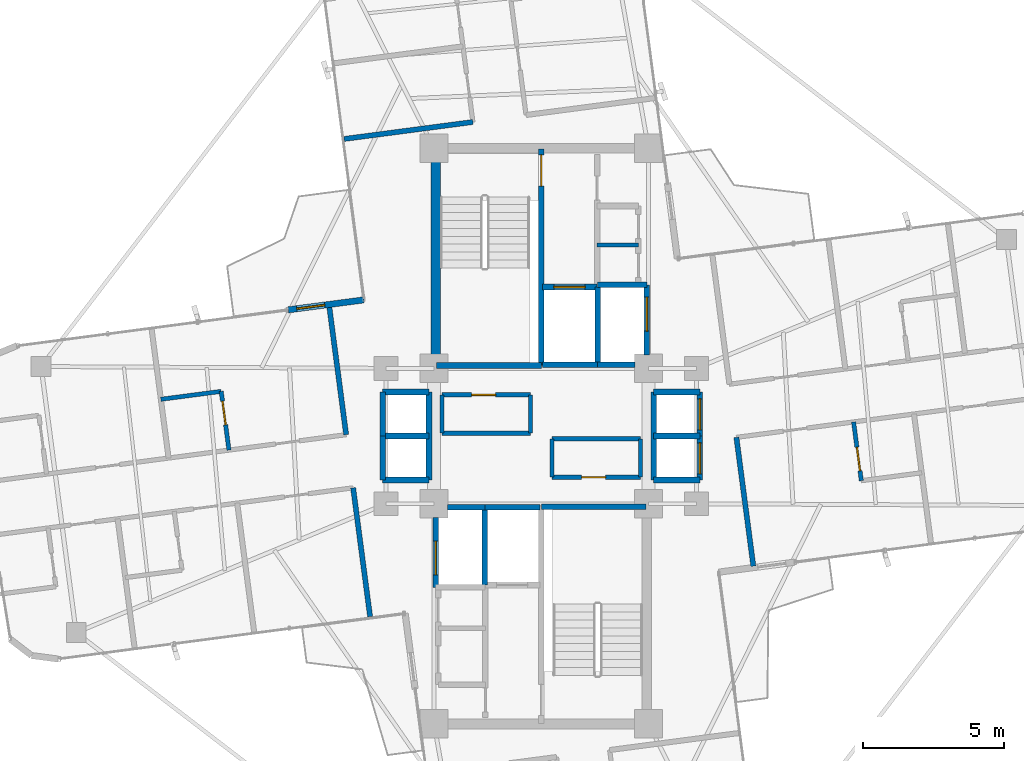
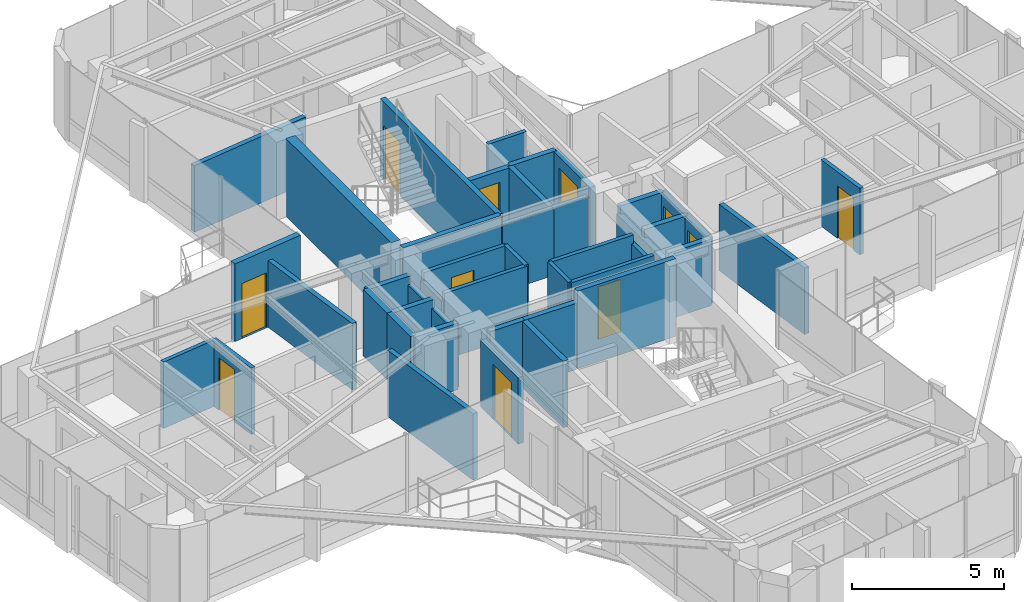
# One storey, part 20 of 23: 43 walls, 11 doors, 11 openings.
"""IFC4 building model written with IfcOpenShell, lengths in metres."""

from ifc_helpers import new_model, si_unit, direction, frame, frame_2d, origin, origin_2d, place, context, subcontext, project, spatial, rectangle, extrude, source, transform, mapped, material, layer, layer_set, type_object, element, fill, save


model = new_model("IFC4")

# Units and contexts
model_context = context("Model", 3, precision=1e-05, world=origin(), true_north=direction((0.0, 1.0)))
body_context = subcontext(model_context, "Body", "Model", "MODEL_VIEW")
ifc_project = project(units=[si_unit("LENGTHUNIT", "METRE"), si_unit("AREAUNIT", "SQUARE_METRE"), si_unit("VOLUMEUNIT", "CUBIC_METRE"), si_unit("PLANEANGLEUNIT", "RADIAN"), si_unit("MASSUNIT", "GRAM", prefix="KILO")], contexts=[model_context])

# Site, building, storey
site_placement = place(None, origin())
site = spatial("IfcSite", under=ifc_project, at=site_placement, CompositionType="ELEMENT")
building_placement = place(site_placement, origin())
building = spatial("IfcBuilding", under=site, at=building_placement, Name="Sahyath Konkavel Grand Hotel", CompositionType="ELEMENT")
storey_placement = place(building_placement, frame((0.0, 0.0, 254.550048828125)))
storey = spatial("IfcBuildingStorey", under=building, at=storey_placement, Name="L71", CompositionType="ELEMENT", Elevation=254.550048828125)

# Wall
ifc_material_1 = material(Name="Concrete C40/50", Category="concrete")
ifc_layer_1 = layer(ifc_material_1, 0.35009765625)
ifc_layer_set_1 = layer_set([ifc_layer_1], Name="Concrete C40/50")
wall_type_1 = type_object("IfcWallType", Name="CWALL-350", PredefinedType="SHEAR", material=ifc_layer_set_1)
wall_1_placement = place(storey_placement, frame((-3.739990234375, 2.85009765625, 0.0), z_axis=(0.0, 0.0, 1.0), x_axis=(0.0, 1.0, 0.0)))
element("IfcWall", 1, at=wall_1_placement, inside=storey, type_object=wall_type_1, Name="L71 North Core Shear Wall W", PredefinedType="SHEAR", context=body_context, shape_type="SweptSolid", body=[
    extrude(rectangle(XDim=6.89990234375, YDim=0.35009765625, at=frame_2d((3.449951171875, 0.0))), origin(), (0.0, 0.0, 1.0), 3.10986328125),
])

# Wall, opening, door
ifc_material_2 = material(Name="Warm Buff Sandstone Insulated Concrete C40/50", Category="masonry")
ifc_layer_2 = layer(ifc_material_2, 0.219970703125)
ifc_layer_set_2 = layer_set([ifc_layer_2], Name="Warm Buff Sandstone Insulated Concrete C40/50")
wall_type_2 = type_object("IfcWallType", Name="WLL-BALC-THRESH", PredefinedType="STANDARD", material=ifc_layer_set_2)
wall_2_placement = place(storey_placement, frame((-6.28759765625, 4.82470703125, 0.0), z_axis=(0.0, 0.0, 1.0), x_axis=(-0.991438283356, -0.130576147498, 0.0)))
wall_2 = element("IfcWall", 2, at=wall_2_placement, inside=storey, type_object=wall_type_2, Name="L71 Winter-Garden Threshold Wall 16", PredefinedType="STANDARD", context=body_context, shape_type="SweptSolid", body=[
    extrude(rectangle(XDim=2.699951171875, YDim=0.219970703125, at=frame_2d((1.35009765625, 0.0))), origin(), (0.0, 0.0, 1.0), 3.10986328125),
])
opening_1_placement = place(wall_2_placement, frame((1.39990234375, 0.0, 0.0)))
opening_1 = element("IfcOpeningElement", 3, at=opening_1_placement, cuts=wall_2, Name="Opening D-TR1", PredefinedType="OPENING", context=body_context, shape_type="SweptSolid", body=[
    extrude(rectangle(XDim=1.0, YDim=2.199951171875, at=frame_2d((0.5, 1.10009765625))), frame((0.0, 0.1201171875, 0.0), z_axis=(0.0, -1.0, 0.0), x_axis=(1.0, 0.0, 0.0)), (0.0, 0.0, 1.0), 0.239990234375),
])
ifc_material_3 = material(Name="Anodised Bronze Aluminium & Low-E Glazing", Category="aluminium")
door_type_1 = type_object("IfcDoorType", Name="DR-TERRACE-1000", OperationType="NOTDEFINED", PredefinedType="DOOR", material=ifc_material_3)
shared_shape_1 = source(origin(), body_context, "Body", "SweptSolid", [
    extrude(rectangle(XDim=1.0, YDim=0.050048828125, at=origin_2d()), origin(), (0.0, 0.0, 1.0), 2.199951171875),
])
door_1_placement = place(opening_1_placement, frame((0.5, 0.0, 0.0)))
door_1 = element("IfcDoor", 4, at=door_1_placement, inside=storey, type_object=door_type_1, Name="L71 Winter-Garden Terrace Door 16", OperationType="SINGLE_SWING_LEFT", OverallHeight=2.199951171875, OverallWidth=1.0, PredefinedType="DOOR", context=body_context, shape_type="MappedRepresentation", body=[
    mapped(shared_shape_1, transform((0.0, 0.0, 0.0), scale=1.0)),
])
fill(opening_1, door_1)

ifc_layer_3 = layer(ifc_material_1, 0.199951171875)
ifc_layer_set_3 = layer_set([ifc_layer_3], Name="Concrete C40/50")
wall_type_3 = type_object("IfcWallType", Name="WLL-CORE-200", PredefinedType="SOLIDWALL", material=ifc_layer_set_3)
wall_3_placement = place(storey_placement, frame((0.0, 2.5, 0.0), z_axis=(0.0, 0.0, 1.0), x_axis=(0.0, 1.0, 0.0)))
wall_3 = element("IfcWall", 5, at=wall_3_placement, inside=storey, type_object=wall_type_3, Name="L71 Stair ST-1 Shaft Wall E", PredefinedType="SOLIDWALL", context=body_context, shape_type="SweptSolid", body=[
    extrude(rectangle(XDim=7.679931640625, YDim=0.199951171875, at=frame_2d((3.83984375, 0.0))), origin(), (0.0, 0.0, 1.0), 3.10986328125),
])
opening_2_placement = place(wall_3_placement, frame((6.360107421875, 0.0, 0.0)))
opening_2 = element("IfcOpeningElement", 6, at=opening_2_placement, cuts=wall_3, Name="Opening D-F12B", PredefinedType="OPENING", context=body_context, shape_type="SweptSolid", body=[
    extrude(rectangle(XDim=1.10009765625, YDim=2.14990234375, at=frame_2d((0.550048828125, 1.074951171875))), frame((0.0, 0.10986328125, 0.0), z_axis=(0.0, -1.0, 0.0), x_axis=(1.0, 0.0, 0.0)), (0.0, 0.0, 1.0), 0.219970703125),
])
ifc_material_4 = material(Name="Steel E350 Smokeproof Fire Door", Category="steel")
door_type_2 = type_object("IfcDoorType", Name="DR-FD120-1100", OperationType="NOTDEFINED", PredefinedType="DOOR", material=ifc_material_4)
shared_shape_2 = source(origin(), body_context, "Body", "SweptSolid", [
    extrude(rectangle(XDim=1.10009765625, YDim=0.050048828125, at=origin_2d()), origin(), (0.0, 0.0, 1.0), 2.14990234375),
])
door_2_placement = place(opening_2_placement, frame((0.550048828125, 0.0, 0.0)))
door_2 = element("IfcDoor", 7, at=door_2_placement, inside=storey, type_object=door_type_2, Name="L71 Stair ST-1 Fire Door", OperationType="SINGLE_SWING_LEFT", OverallHeight=2.14990234375, OverallWidth=1.10009765625, PredefinedType="DOOR", context=body_context, shape_type="MappedRepresentation", body=[
    mapped(shared_shape_2, transform((0.0, 0.0, 0.0), scale=1.0)),
])
fill(opening_2, door_2)

# Walls
for number, where, z_axis, x_axis, name in (
    (8, (-3.719970703125, 2.5, 0.0), (0.0, 0.0, 1.0), (1.0, 0.0, 0.0), "L71 Stair ST-1 Shaft Wall S"),
    (9, (0.0, -2.5, 0.0), (0.0, 0.0, 1.0), (1.0, 0.0, 0.0), "L71 Stair ST-2 Shaft Wall N"),
):
    element("IfcWall", number, at=place(storey_placement, frame(where, z_axis=z_axis, x_axis=x_axis)), inside=storey, type_object=wall_type_3, Name=name, PredefinedType="SOLIDWALL", context=body_context, shape_type="SweptSolid", body=[
        extrude(rectangle(XDim=3.719970703125, YDim=0.199951171875, at=frame_2d((1.85986328125, 0.0))), origin(), (0.0, 0.0, 1.0), 3.10986328125),
    ])
wall_4_placement = place(storey_placement, frame((2.0, 2.5, 0.0), z_axis=(0.0, 0.0, 1.0), x_axis=(0.0, 1.0, 0.0)))
element("IfcWall", 10, at=wall_4_placement, inside=storey, type_object=wall_type_3, Name="L71 Partition SH-FFL1-E", PredefinedType="SOLIDWALL", context=body_context, shape_type="SweptSolid", body=[
    extrude(rectangle(XDim=2.780029296875, YDim=0.199951171875, at=frame_2d((1.39013671875, 0.0))), origin(), (0.0, 0.0, 1.0), 2.659912109375),
])
wall_5_placement = place(storey_placement, frame((0.050048828125, 2.52001953125, 0.0), z_axis=(0.0, 0.0, 1.0), x_axis=(1.0, 0.0, 0.0)))
element("IfcWall", 11, at=wall_5_placement, inside=storey, type_object=wall_type_3, Name="L71 Partition SH-FFL1-S", PredefinedType="SOLIDWALL", context=body_context, shape_type="SweptSolid", body=[
    extrude(rectangle(XDim=1.949951171875, YDim=0.199951171875, at=frame_2d((0.97509765625, 0.0))), origin(), (0.0, 0.0, 1.0), 2.659912109375),
])

# Wall, opening, door
wall_6_placement = place(storey_placement, frame((0.050048828125, 5.280029296875, 0.0), z_axis=(0.0, 0.0, 1.0), x_axis=(1.0, 0.0, 0.0)))
wall_6 = element("IfcWall", 12, at=wall_6_placement, inside=storey, type_object=wall_type_3, Name="L71 Partition SH-FFL1-N", PredefinedType="SOLIDWALL", context=body_context, shape_type="SweptSolid", body=[
    extrude(rectangle(XDim=1.929931640625, YDim=0.199951171875, at=frame_2d((0.96484375, 0.0))), origin(), (0.0, 0.0, 1.0), 2.659912109375),
])
opening_3_placement = place(wall_6_placement, frame((0.39990234375, 0.0, 0.0)))
opening_3 = element("IfcOpeningElement", 13, at=opening_3_placement, cuts=wall_6, Name="Opening LD-11", PredefinedType="OPENING", context=body_context, shape_type="SweptSolid", body=[
    extrude(rectangle(XDim=1.10009765625, YDim=2.199951171875, at=frame_2d((0.550048828125, 1.10009765625))), frame((0.0, 0.10986328125, 0.0), z_axis=(0.0, -1.0, 0.0), x_axis=(1.0, 0.0, 0.0)), (0.0, 0.0, 1.0), 0.219970703125),
])
ifc_material_5 = material(Name="Bronze Lift Landing Door 1100")
door_type_3 = type_object("IfcDoorType", Name="DR-LIFT-1100", OperationType="DOUBLE_DOOR_SLIDING", PredefinedType="DOOR", material=ifc_material_5)
shared_shape_3 = source(origin(), body_context, "Body", "SweptSolid", [
    extrude(rectangle(XDim=1.10009765625, YDim=0.050048828125, at=origin_2d()), origin(), (0.0, 0.0, 1.0), 2.199951171875),
])
door_3_placement = place(opening_3_placement, frame((0.550048828125, 0.0, 0.0)))
door_3 = element("IfcDoor", 14, at=door_3_placement, inside=storey, type_object=door_type_3, Name="L71 Lift FFL-1 Landing Door", OperationType="DOUBLE_DOOR_SLIDING", OverallHeight=2.199951171875, OverallWidth=1.10009765625, PredefinedType="DOOR", context=body_context, shape_type="MappedRepresentation", body=[
    mapped(shared_shape_3, transform((0.0, 0.0, 0.0), scale=1.0)),
])
fill(opening_3, door_3)

# Walls
wall_7_placement = place(storey_placement, frame((-2.0, -5.280029296875, 0.0), z_axis=(0.0, 0.0, 1.0), x_axis=(0.0, 1.0, 0.0)))
element("IfcWall", 15, at=wall_7_placement, inside=storey, type_object=wall_type_3, Name="L71 Partition SH-FFL2-W", PredefinedType="SOLIDWALL", context=body_context, shape_type="SweptSolid", body=[
    extrude(rectangle(XDim=2.780029296875, YDim=0.199951171875, at=frame_2d((1.39013671875, 0.0))), origin(), (0.0, 0.0, 1.0), 2.659912109375),
])
wall_8_placement = place(storey_placement, frame((-2.0, -2.52001953125, 0.0), z_axis=(0.0, 0.0, 1.0), x_axis=(1.0, 0.0, 0.0)))
element("IfcWall", 16, at=wall_8_placement, inside=storey, type_object=wall_type_3, Name="L71 Partition SH-FFL2-N", PredefinedType="SOLIDWALL", context=body_context, shape_type="SweptSolid", body=[
    extrude(rectangle(XDim=1.949951171875, YDim=0.199951171875, at=frame_2d((0.97509765625, 0.0))), origin(), (0.0, 0.0, 1.0), 2.659912109375),
])
wall_9_placement = place(storey_placement, frame((2.0, 2.52001953125, 0.0), z_axis=(0.0, 0.0, 1.0), x_axis=(1.0, 0.0, 0.0)))
element("IfcWall", 17, at=wall_9_placement, inside=storey, type_object=wall_type_3, Name="L71 Partition SH-SVL1-S", PredefinedType="SOLIDWALL", context=body_context, shape_type="SweptSolid", body=[
    extrude(rectangle(XDim=1.320068359375, YDim=0.199951171875, at=frame_2d((0.66015625, 0.0))), origin(), (0.0, 0.0, 1.0), 2.659912109375),
])
wall_10_placement = place(storey_placement, frame((2.0, 5.360107421875, 0.0), z_axis=(0.0, 0.0, 1.0), x_axis=(1.0, 0.0, 0.0)))
element("IfcWall", 18, at=wall_10_placement, inside=storey, type_object=wall_type_3, Name="L71 Partition SH-SVL1-N", PredefinedType="SOLIDWALL", context=body_context, shape_type="SweptSolid", body=[
    extrude(rectangle(XDim=1.739990234375, YDim=0.199951171875, at=frame_2d((0.8701171875, 0.0))), origin(), (0.0, 0.0, 1.0), 2.659912109375),
])

# Wall, opening, door
wall_11_placement = place(storey_placement, frame((3.739990234375, 2.8798828125, 0.0), z_axis=(0.0, 0.0, 1.0), x_axis=(0.0, 1.0, 0.0)))
wall_11 = element("IfcWall", 19, at=wall_11_placement, inside=storey, type_object=wall_type_3, Name="L71 Partition SH-SVL1-E", PredefinedType="SOLIDWALL", context=body_context, shape_type="SweptSolid", body=[
    extrude(rectangle(XDim=2.480224609375, YDim=0.199951171875, at=frame_2d((1.240234375, 0.0))), origin(), (0.0, 0.0, 1.0), 2.659912109375),
])
opening_4_placement = place(wall_11_placement, frame((0.840087890625, 0.0, 0.0)))
opening_4 = element("IfcOpeningElement", 20, at=opening_4_placement, cuts=wall_11, Name="Opening LD-12", PredefinedType="OPENING", context=body_context, shape_type="SweptSolid", body=[
    extrude(rectangle(XDim=1.199951171875, YDim=2.199951171875, at=frame_2d((0.60009765625, 1.10009765625))), frame((0.0, 0.10986328125, 0.0), z_axis=(0.0, -1.0, 0.0), x_axis=(1.0, 0.0, 0.0)), (0.0, 0.0, 1.0), 0.219970703125),
])
ifc_material_6 = material(Name="Stainless Steel Lift Landing Door 1200", Category="steel")
door_type_4 = type_object("IfcDoorType", Name="DR-LIFT-1200", OperationType="DOUBLE_DOOR_SLIDING", PredefinedType="DOOR", material=ifc_material_6)
shared_shape_4 = source(origin(), body_context, "Body", "SweptSolid", [
    extrude(rectangle(XDim=1.199951171875, YDim=0.050048828125, at=origin_2d()), origin(), (0.0, 0.0, 1.0), 2.199951171875),
])
door_4_placement = place(opening_4_placement, frame((0.60009765625, 0.0, 0.0)))
door_4 = element("IfcDoor", 21, at=door_4_placement, inside=storey, type_object=door_type_4, Name="L71 Service Lift SVL-1 Landing Door", OperationType="DOUBLE_DOOR_SLIDING", OverallHeight=2.199951171875, OverallWidth=1.199951171875, PredefinedType="DOOR", context=body_context, shape_type="MappedRepresentation", body=[
    mapped(shared_shape_4, transform((0.0, 0.0, 0.0), scale=1.0)),
])
fill(opening_4, door_4)

# Wall
wall_12_placement = place(storey_placement, frame((-3.320068359375, -2.52001953125, 0.0), z_axis=(0.0, 0.0, 1.0), x_axis=(1.0, 0.0, 0.0)))
element("IfcWall", 22, at=wall_12_placement, inside=storey, type_object=wall_type_3, Name="L71 Partition SH-SVL2-N", PredefinedType="SOLIDWALL", context=body_context, shape_type="SweptSolid", body=[
    extrude(rectangle(XDim=1.320068359375, YDim=0.199951171875, at=frame_2d((0.66015625, 0.0))), origin(), (0.0, 0.0, 1.0), 2.659912109375),
])

# Wall, opening, door
wall_13_placement = place(storey_placement, frame((-3.739990234375, -5.360107421875, 0.0), z_axis=(0.0, 0.0, 1.0), x_axis=(0.0, 1.0, 0.0)))
wall_13 = element("IfcWall", 23, at=wall_13_placement, inside=storey, type_object=wall_type_3, Name="L71 Partition SH-SVL2-W", PredefinedType="SOLIDWALL", context=body_context, shape_type="SweptSolid", body=[
    extrude(rectangle(XDim=2.480224609375, YDim=0.199951171875, at=frame_2d((1.240234375, 0.0))), origin(), (0.0, 0.0, 1.0), 2.659912109375),
])
opening_5_placement = place(wall_13_placement, frame((0.43994140625, 0.0, 0.0)))
opening_5 = element("IfcOpeningElement", 24, at=opening_5_placement, cuts=wall_13, Name="Opening LD-12", PredefinedType="OPENING", context=body_context, shape_type="SweptSolid", body=[
    extrude(rectangle(XDim=1.199951171875, YDim=2.199951171875, at=frame_2d((0.60009765625, 1.10009765625))), frame((0.0, 0.10986328125, 0.0), z_axis=(0.0, -1.0, 0.0), x_axis=(1.0, 0.0, 0.0)), (0.0, 0.0, 1.0), 0.219970703125),
])
door_5_placement = place(opening_5_placement, frame((0.60009765625, 0.0, 0.0)))
door_5 = element("IfcDoor", 25, at=door_5_placement, inside=storey, type_object=door_type_4, Name="L71 Service Lift SVL-2 Landing Door", OperationType="DOUBLE_DOOR_SLIDING", OverallHeight=2.199951171875, OverallWidth=1.199951171875, PredefinedType="DOOR", context=body_context, shape_type="MappedRepresentation", body=[
    mapped(shared_shape_4, transform((0.0, 0.0, 0.0), scale=1.0)),
])
fill(opening_5, door_5)

# Walls
wall_14_placement = place(storey_placement, frame((3.97998046875, -1.56005859375, 0.0), z_axis=(0.0, 0.0, 1.0), x_axis=(0.0, 1.0, 0.0)))
element("IfcWall", 26, at=wall_14_placement, inside=storey, type_object=wall_type_3, Name="L71 Partition SH-PL56-W", PredefinedType="SOLIDWALL", context=body_context, shape_type="SweptSolid", body=[
    extrude(rectangle(XDim=3.1201171875, YDim=0.199951171875, at=frame_2d((1.56005859375, 0.0))), origin(), (0.0, 0.0, 1.0), 2.329833984375),
])
for number, where, z_axis, x_axis, name in (
    (27, (3.97998046875, 1.56005859375, 0.0), (0.0, 0.0, 1.0), (1.0, 0.0, 0.0), "L71 Partition SH-PL56-N"),
    (28, (3.97998046875, -1.56005859375, 0.0), (0.0, 0.0, 1.0), (1.0, 0.0, 0.0), "L71 Partition SH-PL56-S"),
    (29, (3.97998046875, 0.0, 0.0), (0.0, 0.0, 1.0), (1.0, 0.0, 0.0), "L71 Partition SH-PL56-M"),
):
    element("IfcWall", number, at=place(storey_placement, frame(where, z_axis=z_axis, x_axis=x_axis)), inside=storey, type_object=wall_type_3, Name=name, PredefinedType="SOLIDWALL", context=body_context, shape_type="SweptSolid", body=[
        extrude(rectangle(XDim=1.64013671875, YDim=0.199951171875, at=frame_2d((0.820068359375, 0.0))), origin(), (0.0, 0.0, 1.0), 2.659912109375),
    ])

# Wall, opening, door
wall_15_placement = place(storey_placement, frame((5.6201171875, 0.0, 0.0), z_axis=(0.0, 0.0, 1.0), x_axis=(0.0, 1.0, 0.0)))
wall_15 = element("IfcWall", 30, at=wall_15_placement, inside=storey, type_object=wall_type_3, Name="L71 Partition SH-PL5-E", PredefinedType="SOLIDWALL", context=body_context, shape_type="SweptSolid", body=[
    extrude(rectangle(XDim=1.56005859375, YDim=0.199951171875, at=frame_2d((0.780029296875, 0.0))), origin(), (0.0, 0.0, 1.0), 2.659912109375),
])
opening_6_placement = place(wall_15_placement, frame((0.219970703125, 0.0, 0.0)))
opening_6 = element("IfcOpeningElement", 31, at=opening_6_placement, cuts=wall_15, Name="Opening LD-11", PredefinedType="OPENING", context=body_context, shape_type="SweptSolid", body=[
    extrude(rectangle(XDim=1.10009765625, YDim=2.199951171875, at=frame_2d((0.550048828125, 1.10009765625))), frame((0.0, 0.10986328125, 0.0), z_axis=(0.0, -1.0, 0.0), x_axis=(1.0, 0.0, 0.0)), (0.0, 0.0, 1.0), 0.219970703125),
])
door_6_placement = place(opening_6_placement, frame((0.550048828125, 0.0, 0.0)))
door_6 = element("IfcDoor", 32, at=door_6_placement, inside=storey, type_object=door_type_3, Name="L71 High-Rise Lift PL-5 Landing Door", OperationType="DOUBLE_DOOR_SLIDING", OverallHeight=2.199951171875, OverallWidth=1.10009765625, PredefinedType="DOOR", context=body_context, shape_type="MappedRepresentation", body=[
    mapped(shared_shape_3, transform((0.0, 0.0, 0.0), scale=1.0)),
])
fill(opening_6, door_6)

wall_16_placement = place(storey_placement, frame((5.6201171875, -1.56005859375, 0.0), z_axis=(0.0, 0.0, 1.0), x_axis=(0.0, 1.0, 0.0)))
wall_16 = element("IfcWall", 33, at=wall_16_placement, inside=storey, type_object=wall_type_3, Name="L71 Partition SH-PL6-E", PredefinedType="SOLIDWALL", context=body_context, shape_type="SweptSolid", body=[
    extrude(rectangle(XDim=1.56005859375, YDim=0.199951171875, at=frame_2d((0.780029296875, 0.0))), origin(), (0.0, 0.0, 1.0), 2.659912109375),
])
opening_7_placement = place(wall_16_placement, frame((0.219970703125, 0.0, 0.0)))
opening_7 = element("IfcOpeningElement", 34, at=opening_7_placement, cuts=wall_16, Name="Opening LD-11", PredefinedType="OPENING", context=body_context, shape_type="SweptSolid", body=[
    extrude(rectangle(XDim=1.10009765625, YDim=2.199951171875, at=frame_2d((0.550048828125, 1.10009765625))), frame((0.0, 0.10986328125, 0.0), z_axis=(0.0, -1.0, 0.0), x_axis=(1.0, 0.0, 0.0)), (0.0, 0.0, 1.0), 0.219970703125),
])
door_7_placement = place(opening_7_placement, frame((0.550048828125, 0.0, 0.0)))
door_7 = element("IfcDoor", 35, at=door_7_placement, inside=storey, type_object=door_type_3, Name="L71 High-Rise Lift PL-6 Landing Door", OperationType="DOUBLE_DOOR_SLIDING", OverallHeight=2.199951171875, OverallWidth=1.10009765625, PredefinedType="DOOR", context=body_context, shape_type="MappedRepresentation", body=[
    mapped(shared_shape_3, transform((0.0, 0.0, 0.0), scale=1.0)),
])
fill(opening_7, door_7)

# Walls
wall_17_placement = place(storey_placement, frame((-3.97998046875, -1.56005859375, 0.0), z_axis=(0.0, 0.0, 1.0), x_axis=(0.0, 1.0, 0.0)))
element("IfcWall", 36, at=wall_17_placement, inside=storey, type_object=wall_type_3, Name="L71 Partition SH-SL12-E", PredefinedType="SOLIDWALL", context=body_context, shape_type="SweptSolid", body=[
    extrude(rectangle(XDim=3.1201171875, YDim=0.199951171875, at=frame_2d((1.56005859375, 0.0))), origin(), (0.0, 0.0, 1.0), 2.329833984375),
])
for number, where, z_axis, x_axis, name in (
    (37, (-5.6201171875, 1.56005859375, 0.0), (0.0, 0.0, 1.0), (1.0, 0.0, 0.0), "L71 Partition SH-SL12-N"),
    (38, (-5.6201171875, -1.56005859375, 0.0), (0.0, 0.0, 1.0), (1.0, 0.0, 0.0), "L71 Partition SH-SL12-S"),
    (39, (-5.6201171875, 0.0, 0.0), (0.0, 0.0, 1.0), (1.0, 0.0, 0.0), "L71 Partition SH-SL12-M"),
):
    element("IfcWall", number, at=place(storey_placement, frame(where, z_axis=z_axis, x_axis=x_axis)), inside=storey, type_object=wall_type_3, Name=name, PredefinedType="SOLIDWALL", context=body_context, shape_type="SweptSolid", body=[
        extrude(rectangle(XDim=1.64013671875, YDim=0.199951171875, at=frame_2d((0.820068359375, 0.0))), origin(), (0.0, 0.0, 1.0), 2.659912109375),
    ])
for number, where, z_axis, x_axis, name in (
    (40, (-5.6201171875, 0.0, 0.0), (0.0, 0.0, 1.0), (0.0, 1.0, 0.0), "L71 Partition SH-SL1-W"),
    (41, (-5.6201171875, -1.56005859375, 0.0), (0.0, 0.0, 1.0), (0.0, 1.0, 0.0), "L71 Partition SH-SL2-W"),
):
    element("IfcWall", number, at=place(storey_placement, frame(where, z_axis=z_axis, x_axis=x_axis)), inside=storey, type_object=wall_type_3, Name=name, PredefinedType="SOLIDWALL", context=body_context, shape_type="SweptSolid", body=[
        extrude(rectangle(XDim=1.56005859375, YDim=0.199951171875, at=frame_2d((0.780029296875, 0.0))), origin(), (0.0, 0.0, 1.0), 2.659912109375),
    ])
ifc_material_7 = material(Name="Twin-Stud Acoustic Gypsum Plasterboard Partition")
ifc_layer_4 = layer(ifc_material_7, 0.179931640625)
ifc_layer_set_4 = layer_set([ifc_layer_4], Name="Twin-Stud Acoustic Gypsum Plasterboard Partition")
wall_type_4 = type_object("IfcWallType", Name="WLL-DEMISE-180", PredefinedType="PARTITIONING", material=ifc_layer_set_4)
wall_18_placement = place(storey_placement, frame((7.516357421875, -4.6123046875, 0.0), z_axis=(0.0, 0.0, 1.0), x_axis=(-0.130558766007, 0.991440572409, 0.0)))
element("IfcWall", 42, at=wall_18_placement, inside=storey, type_object=wall_type_4, Name="L71 Partition E-INR", PredefinedType="PARTITIONING", context=body_context, shape_type="SweptSolid", body=[
    extrude(rectangle(XDim=4.603759765625, YDim=0.179931640625, at=frame_2d((2.3017578125, 0.0))), origin(), (0.0, 0.0, 1.0), 2.659912109375),
])
for number, where, z_axis, x_axis, name in (
    (43, (-2.42333984375, 11.12890625, 0.0), (0.0, 0.0, 1.0), (-0.991448338432, -0.130499778621, 0.0), "L71 Partition N-INL"),
    (44, (-6.66748046875, -1.8359375, 0.0), (0.0, 0.0, 1.0), (0.130551902153, -0.991441476258, 0.0), "L71 Partition W-INL"),
):
    element("IfcWall", number, at=place(storey_placement, frame(where, z_axis=z_axis, x_axis=x_axis)), inside=storey, type_object=wall_type_4, Name=name, PredefinedType="PARTITIONING", context=body_context, shape_type="SweptSolid", body=[
        extrude(rectangle(XDim=4.60400390625, YDim=0.179931640625, at=frame_2d((2.302001953125, 0.0))), origin(), (0.0, 0.0, 1.0), 2.659912109375),
    ])
wall_19_placement = place(storey_placement, frame((-7.516357421875, 4.6123046875, 0.0), z_axis=(0.0, 0.0, 1.0), x_axis=(0.130558766007, -0.991440572409, 0.0)))
element("IfcWall", 45, at=wall_19_placement, inside=storey, type_object=wall_type_4, Name="L71 Partition W-INR", PredefinedType="PARTITIONING", context=body_context, shape_type="SweptSolid", body=[
    extrude(rectangle(XDim=4.603759765625, YDim=0.179931640625, at=frame_2d((2.3017578125, 0.0))), origin(), (0.0, 0.0, 1.0), 2.659912109375),
])
ifc_material_8 = material(Name="Fire-Rated Gypsum Plasterboard Partition")
ifc_layer_5 = layer(ifc_material_8, 0.14990234375)
ifc_layer_set_5 = layer_set([ifc_layer_5], Name="Fire-Rated Gypsum Plasterboard Partition")
wall_type_5 = type_object("IfcWallType", Name="WLL-PART-150", PredefinedType="PARTITIONING", material=ifc_layer_set_5)
wall_20_placement = place(storey_placement, frame((1.97998046875, 6.77001953125, 0.0), z_axis=(0.0, 0.0, 1.0), x_axis=(1.0, 0.0, 0.0)))
element("IfcWall", 46, at=wall_20_placement, inside=storey, type_object=wall_type_5, Name="L71 Partition NC-REC-M1", PredefinedType="PARTITIONING", context=body_context, shape_type="SweptSolid", body=[
    extrude(rectangle(XDim=1.4599609375, YDim=0.14990234375, at=frame_2d((0.72998046875, 0.0))), origin(), (0.0, 0.0, 1.0), 2.659912109375),
])
wall_21_placement = place(storey_placement, frame((-3.52001953125, 0.10009765625, 0.0), z_axis=(0.0, 0.0, 1.0), x_axis=(1.0, 0.0, 0.0)))
element("IfcWall", 47, at=wall_21_placement, inside=storey, type_object=wall_type_5, Name="L71 Partition CC-3NWS", PredefinedType="PARTITIONING", context=body_context, shape_type="SweptSolid", body=[
    extrude(rectangle(XDim=3.14013671875, YDim=0.14990234375, at=frame_2d((1.570068359375, 0.0))), origin(), (0.0, 0.0, 1.0), 2.659912109375),
])

# Wall, opening, door
wall_22_placement = place(storey_placement, frame((-3.52001953125, 1.4599609375, 0.0), z_axis=(0.0, 0.0, 1.0), x_axis=(1.0, 0.0, 0.0)))
wall_22 = element("IfcWall", 48, at=wall_22_placement, inside=storey, type_object=wall_type_5, Name="L71 Partition CC-3NWN", PredefinedType="PARTITIONING", context=body_context, shape_type="SweptSolid", body=[
    extrude(rectangle(XDim=3.14013671875, YDim=0.14990234375, at=frame_2d((1.570068359375, 0.0))), origin(), (0.0, 0.0, 1.0), 2.659912109375),
])
opening_8_placement = place(wall_22_placement, frame((1.050048828125, 0.0, 0.0)))
opening_8 = element("IfcOpeningElement", 49, at=opening_8_placement, cuts=wall_22, Name="Opening D-F06D", PredefinedType="OPENING", context=body_context, shape_type="SweptSolid", body=[
    extrude(rectangle(XDim=0.85009765625, YDim=2.10009765625, at=frame_2d((0.425048828125, 1.050048828125))), frame((0.0, 0.0849609375, 0.0), z_axis=(0.0, -1.0, 0.0), x_axis=(1.0, 0.0, 0.0)), (0.0, 0.0, 1.0), 0.169921875),
])
ifc_material_9 = material(Name="Fire-Rated Shaft Access Door")
door_type_5 = type_object("IfcDoorType", Name="DR-FD60-850", OperationType="NOTDEFINED", PredefinedType="DOOR", material=ifc_material_9)
shared_shape_5 = source(origin(), body_context, "Body", "SweptSolid", [
    extrude(rectangle(XDim=0.85009765625, YDim=0.050048828125, at=origin_2d()), origin(), (0.0, 0.0, 1.0), 2.10009765625),
])
door_8_placement = place(opening_8_placement, frame((0.425048828125, 0.0, 0.0)))
door_8 = element("IfcDoor", 50, at=door_8_placement, inside=storey, type_object=door_type_5, Name="L71 Door CC-D3NW", OperationType="SINGLE_SWING_LEFT", OverallHeight=2.10009765625, OverallWidth=0.85009765625, PredefinedType="DOOR", context=body_context, shape_type="MappedRepresentation", body=[
    mapped(shared_shape_5, transform((0.0, 0.0, 0.0), scale=1.0)),
])
fill(opening_8, door_8)

# Walls
wall_23_placement = place(storey_placement, frame((-3.52001953125, 0.10009765625, 0.0), z_axis=(0.0, 0.0, 1.0), x_axis=(0.0, 1.0, 0.0)))
element("IfcWall", 51, at=wall_23_placement, inside=storey, type_object=wall_type_5, Name="L71 Partition CC-3NWW", PredefinedType="PARTITIONING", context=body_context, shape_type="SweptSolid", body=[
    extrude(rectangle(XDim=1.35986328125, YDim=0.14990234375, at=frame_2d((0.679931640625, 0.0))), origin(), (0.0, 0.0, 1.0), 2.329833984375),
])
wall_24_placement = place(storey_placement, frame((-0.3798828125, 0.10009765625, 0.0), z_axis=(0.0, 0.0, 1.0), x_axis=(0.0, 1.0, 0.0)))
element("IfcWall", 52, at=wall_24_placement, inside=storey, type_object=wall_type_5, Name="L71 Partition CC-3NWE", PredefinedType="PARTITIONING", context=body_context, shape_type="SweptSolid", body=[
    extrude(rectangle(XDim=1.35986328125, YDim=0.14990234375, at=frame_2d((0.679931640625, 0.0))), origin(), (0.0, 0.0, 1.0), 2.659912109375),
])
wall_25_placement = place(storey_placement, frame((0.3798828125, -0.10009765625, 0.0), z_axis=(0.0, 0.0, 1.0), x_axis=(1.0, 0.0, 0.0)))
element("IfcWall", 53, at=wall_25_placement, inside=storey, type_object=wall_type_5, Name="L71 Partition CC-3SEN", PredefinedType="PARTITIONING", context=body_context, shape_type="SweptSolid", body=[
    extrude(rectangle(XDim=3.14013671875, YDim=0.14990234375, at=frame_2d((1.570068359375, 0.0))), origin(), (0.0, 0.0, 1.0), 2.659912109375),
])

# Wall, opening, door
wall_26_placement = place(storey_placement, frame((0.3798828125, -1.4599609375, 0.0), z_axis=(0.0, 0.0, 1.0), x_axis=(1.0, 0.0, 0.0)))
wall_26 = element("IfcWall", 54, at=wall_26_placement, inside=storey, type_object=wall_type_5, Name="L71 Partition CC-3SES", PredefinedType="PARTITIONING", context=body_context, shape_type="SweptSolid", body=[
    extrude(rectangle(XDim=3.14013671875, YDim=0.14990234375, at=frame_2d((1.570068359375, 0.0))), origin(), (0.0, 0.0, 1.0), 2.659912109375),
])
opening_9_placement = place(wall_26_placement, frame((1.050048828125, 0.0, 0.0)))
opening_9 = element("IfcOpeningElement", 55, at=opening_9_placement, cuts=wall_26, Name="Opening D-F06D", PredefinedType="OPENING", context=body_context, shape_type="SweptSolid", body=[
    extrude(rectangle(XDim=0.85009765625, YDim=2.10009765625, at=frame_2d((0.425048828125, 1.050048828125))), frame((0.0, 0.0849609375, 0.0), z_axis=(0.0, -1.0, 0.0), x_axis=(1.0, 0.0, 0.0)), (0.0, 0.0, 1.0), 0.169921875),
])
door_9_placement = place(opening_9_placement, frame((0.425048828125, 0.0, 0.0)))
door_9 = element("IfcDoor", 56, at=door_9_placement, inside=storey, type_object=door_type_5, Name="L71 Door CC-D3SE", OperationType="SINGLE_SWING_RIGHT", OverallHeight=2.10009765625, OverallWidth=0.85009765625, PredefinedType="DOOR", context=body_context, shape_type="MappedRepresentation", body=[
    mapped(shared_shape_5, transform((0.0, 0.0, 0.0), scale=1.0)),
])
fill(opening_9, door_9)

# Walls
wall_27_placement = place(storey_placement, frame((0.3798828125, -1.4599609375, 0.0), z_axis=(0.0, 0.0, 1.0), x_axis=(0.0, 1.0, 0.0)))
element("IfcWall", 57, at=wall_27_placement, inside=storey, type_object=wall_type_5, Name="L71 Partition CC-3SEW", PredefinedType="PARTITIONING", context=body_context, shape_type="SweptSolid", body=[
    extrude(rectangle(XDim=1.35986328125, YDim=0.14990234375, at=frame_2d((0.679931640625, 0.0))), origin(), (0.0, 0.0, 1.0), 2.659912109375),
])
wall_28_placement = place(storey_placement, frame((3.52001953125, -1.4599609375, 0.0), z_axis=(0.0, 0.0, 1.0), x_axis=(0.0, 1.0, 0.0)))
element("IfcWall", 58, at=wall_28_placement, inside=storey, type_object=wall_type_5, Name="L71 Partition CC-3SEE", PredefinedType="PARTITIONING", context=body_context, shape_type="SweptSolid", body=[
    extrude(rectangle(XDim=1.35986328125, YDim=0.14990234375, at=frame_2d((0.679931640625, 0.0))), origin(), (0.0, 0.0, 1.0), 2.329833984375),
])

# Wall, opening, door
wall_29_placement = place(storey_placement, frame((11.068603515625, 0.4990234375, 0.0), z_axis=(0.0, 0.0, 1.0), x_axis=(0.130556761174, -0.991440836415, 0.0)))
wall_29 = element("IfcWall", 59, at=wall_29_placement, inside=storey, type_object=wall_type_5, Name="L71 Partition E-E1R-BS", PredefinedType="PARTITIONING", context=body_context, shape_type="SweptSolid", body=[
    extrude(rectangle(XDim=2.10009765625, YDim=0.14990234375, at=frame_2d((1.050048828125, 0.0))), origin(), (0.0, 0.0, 1.0), 2.659912109375),
])
opening_10_placement = place(wall_29_placement, frame((0.89990234375, 0.0, 0.0)))
opening_10 = element("IfcOpeningElement", 60, at=opening_10_placement, cuts=wall_29, Name="Opening D-BT85", PredefinedType="OPENING", context=body_context, shape_type="SweptSolid", body=[
    extrude(rectangle(XDim=0.85009765625, YDim=2.10009765625, at=frame_2d((0.425048828125, 1.050048828125))), frame((0.0, 0.0849609375, 0.0), z_axis=(0.0, -1.0, 0.0), x_axis=(1.0, 0.0, 0.0)), (0.0, 0.0, 1.0), 0.169921875),
])
ifc_material_10 = material(Name="Moisture-Resistant Teak Bathroom Door")
door_type_6 = type_object("IfcDoorType", Name="DR-BATH-850", OperationType="NOTDEFINED", PredefinedType="DOOR", material=ifc_material_10)
door_10_placement = place(opening_10_placement, frame((0.425048828125, 0.0, 0.0)))
door_10 = element("IfcDoor", 61, at=door_10_placement, inside=storey, type_object=door_type_6, Name="L71 Door E-E1R-BD", OperationType="SINGLE_SWING_RIGHT", OverallHeight=2.10009765625, OverallWidth=0.85009765625, PredefinedType="DOOR", context=body_context, shape_type="MappedRepresentation", body=[
    mapped(shared_shape_5, transform((0.0, 0.0, 0.0), scale=1.0)),
])
fill(opening_10, door_10)

wall_30_placement = place(storey_placement, frame((-11.068603515625, -0.4990234375, 0.0), z_axis=(0.0, 0.0, 1.0), x_axis=(-0.130556761174, 0.991440836415, 0.0)))
wall_30 = element("IfcWall", 62, at=wall_30_placement, inside=storey, type_object=wall_type_5, Name="L71 Partition W-W1R-BS", PredefinedType="PARTITIONING", context=body_context, shape_type="SweptSolid", body=[
    extrude(rectangle(XDim=2.10009765625, YDim=0.14990234375, at=frame_2d((1.050048828125, 0.0))), origin(), (0.0, 0.0, 1.0), 2.659912109375),
])
opening_11_placement = place(wall_30_placement, frame((0.89990234375, 0.0, 0.0)))
opening_11 = element("IfcOpeningElement", 63, at=opening_11_placement, cuts=wall_30, Name="Opening D-BT85", PredefinedType="OPENING", context=body_context, shape_type="SweptSolid", body=[
    extrude(rectangle(XDim=0.85009765625, YDim=2.10009765625, at=frame_2d((0.425048828125, 1.050048828125))), frame((0.0, 0.0849609375, 0.0), z_axis=(0.0, -1.0, 0.0), x_axis=(1.0, 0.0, 0.0)), (0.0, 0.0, 1.0), 0.169921875),
])
door_11_placement = place(opening_11_placement, frame((0.425048828125, 0.0, 0.0)))
door_11 = element("IfcDoor", 64, at=door_11_placement, inside=storey, type_object=door_type_6, Name="L71 Door W-W1R-BD", OperationType="SINGLE_SWING_LEFT", OverallHeight=2.10009765625, OverallWidth=0.85009765625, PredefinedType="DOOR", context=body_context, shape_type="MappedRepresentation", body=[
    mapped(shared_shape_5, transform((0.0, 0.0, 0.0), scale=1.0)),
])
fill(opening_11, door_11)

# Wall
wall_31_placement = place(storey_placement, frame((-11.3427734375, 1.5830078125, 0.0), z_axis=(0.0, 0.0, 1.0), x_axis=(-0.991454680634, -0.130451585846, 0.0)))
element("IfcWall", 65, at=wall_31_placement, inside=storey, type_object=wall_type_5, Name="L71 Partition W-W1R-BF", PredefinedType="PARTITIONING", context=body_context, shape_type="SweptSolid", body=[
    extrude(rectangle(XDim=2.157958984375, YDim=0.14990234375, at=frame_2d((1.0791015625, 0.0))), origin(), (0.0, 0.0, 1.0), 2.659912109375),
])

save(model, "model.ifc")
